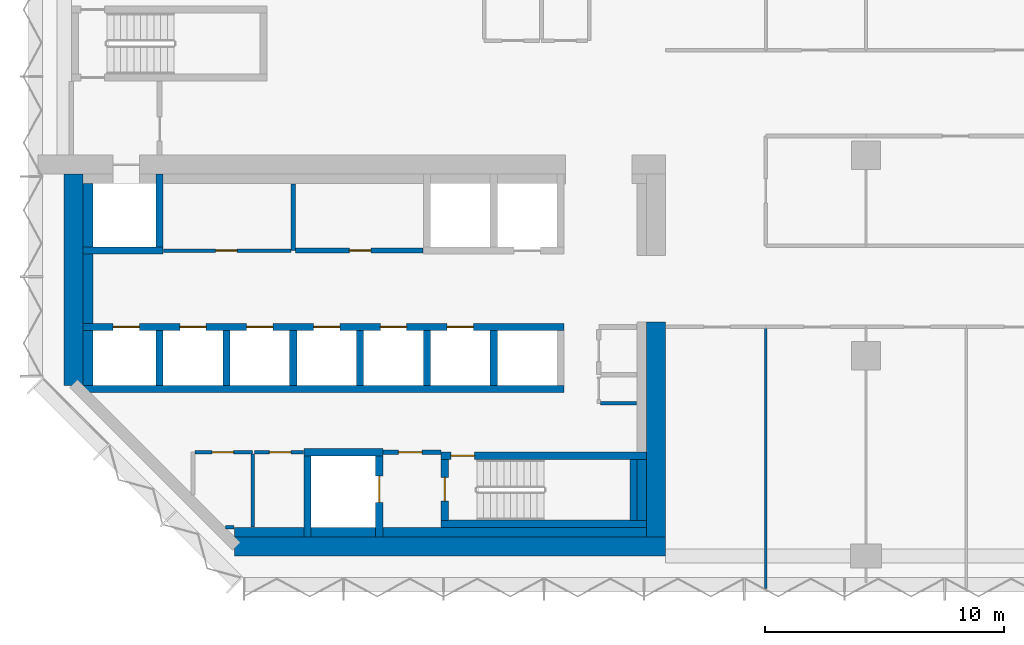
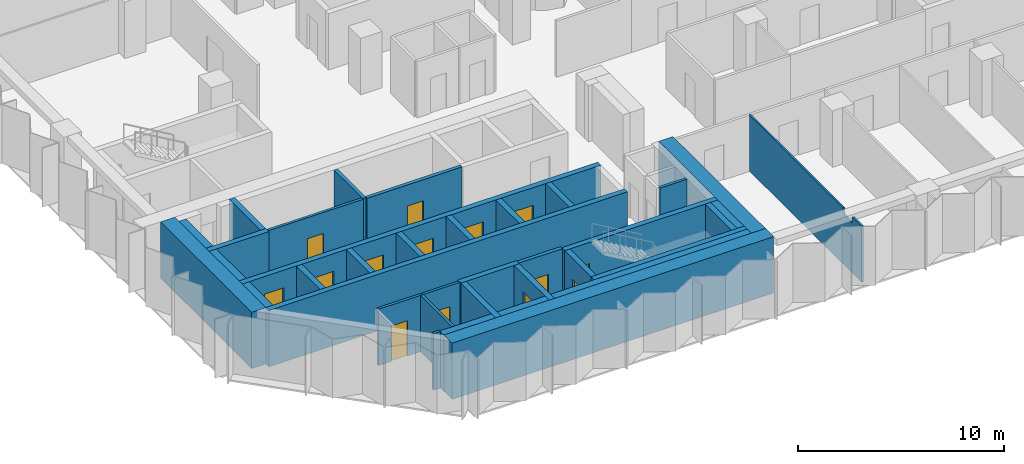
# One storey, part 7 of 13: 37 walls, 14 doors, 14 openings.
"""IFC4 building model written with IfcOpenShell, lengths in metres."""

from ifc_helpers import new_model, si_unit, direction, frame, frame_2d, origin, place, context, subcontext, project, spatial, polyline, rectangle, outline, extrude, material, layer, layer_set, type_object, element, fill, save


model = new_model("IFC4")

# Units and contexts
model_context = context("Model", 3, precision=1e-05, world=origin(), true_north=direction((0.0, 1.0)))
body_context = subcontext(model_context, "Body", "Model", "MODEL_VIEW")
ifc_project = project(units=[si_unit("LENGTHUNIT", "METRE"), si_unit("AREAUNIT", "SQUARE_METRE"), si_unit("VOLUMEUNIT", "CUBIC_METRE"), si_unit("PLANEANGLEUNIT", "RADIAN"), si_unit("MASSUNIT", "GRAM", prefix="KILO")], contexts=[model_context])

# Site, building, storey
site_placement = place(None, origin())
site = spatial("IfcSite", under=ifc_project, at=site_placement, CompositionType="ELEMENT")
building_placement = place(site_placement, origin())
building = spatial("IfcBuilding", under=site, at=building_placement, Name="Brevane Broadcast Tower", CompositionType="ELEMENT")
storey_placement = place(building_placement, frame((0.0, 0.0, 124.10009765625)))
storey = spatial("IfcBuildingStorey", under=building, at=storey_placement, Name="L30", CompositionType="ELEMENT", Elevation=124.10009765625)

# Walls
ifc_material_1 = material(Name="Concrete C32/40", Category="concrete")
ifc_layer_1 = layer(ifc_material_1, 0.39990234375)
ifc_layer_set_1 = layer_set([ifc_layer_1], Name="Core chase wall 400 mm")
wall_type_1 = type_object("IfcWallType", Name="Core chase wall 400 mm", PredefinedType="PARTITIONING", material=ifc_layer_set_1)
wall_1_placement = place(storey_placement, frame((1.0, 7.14990234375, 0.0), z_axis=(0.0, 0.0, 1.0), x_axis=(0.0, 1.0, 0.0)))
element("IfcWall", 1, at=wall_1_placement, inside=storey, type_object=wall_type_1, Name="L30 chase wall LW-2-1", PredefinedType="PARTITIONING", context=body_context, shape_type="SweptSolid", body=[
    extrude(rectangle(XDim=2.300048828125, YDim=0.39990234375, at=frame_2d((1.14990234375, 0.0))), origin(), (0.0, 0.0, 1.0), 3.349853515625),
])
wall_2_placement = place(storey_placement, frame((1.0, 9.75, 0.0), z_axis=(0.0, 0.0, 1.0), x_axis=(0.0, 1.0, 0.0)))
element("IfcWall", 2, at=wall_2_placement, inside=storey, type_object=wall_type_1, Name="L30 chase wall LW-2-2-1", PredefinedType="PARTITIONING", context=body_context, shape_type="SweptSolid", body=[
    extrude(rectangle(XDim=2.89990234375, YDim=0.39990234375, at=frame_2d((1.449951171875, 0.0))), origin(), (0.0, 0.0, 1.0), 3.349853515625),
])
wall_3_placement = place(storey_placement, frame((1.0, 12.949951171875, 0.0), z_axis=(0.0, 0.0, 1.0), x_axis=(0.0, 1.0, 0.0)))
element("IfcWall", 3, at=wall_3_placement, inside=storey, type_object=wall_type_1, Name="L30 chase wall LW-2-2-2", PredefinedType="PARTITIONING", context=body_context, shape_type="SweptSolid", body=[
    extrude(rectangle(XDim=2.650146484375, YDim=0.39990234375, at=frame_2d((1.3251953125, 0.0))), origin(), (0.0, 0.0, 1.0), 3.349853515625),
])
wall_4_placement = place(storey_placement, frame((7.136474609375, 1.0, 0.0), z_axis=(0.0, 0.0, 1.0), x_axis=(1.0, 0.0, 0.0)))
element("IfcWall", 4, at=wall_4_placement, inside=storey, type_object=wall_type_1, Name="L30 chase wall LS-1", PredefinedType="PARTITIONING", context=body_context, shape_type="SweptSolid", body=[
    extrude(rectangle(XDim=2.91357421875, YDim=0.39990234375, at=frame_2d((1.456787109375, 0.0))), origin(), (0.0, 0.0, 1.0), 3.349853515625),
])
wall_5_placement = place(storey_placement, frame((10.35009765625, 1.0, 0.0), z_axis=(0.0, 0.0, 1.0), x_axis=(1.0, 0.0, 0.0)))
element("IfcWall", 5, at=wall_5_placement, inside=storey, type_object=wall_type_1, Name="L30 chase wall LS-2-1", PredefinedType="PARTITIONING", context=body_context, shape_type="SweptSolid", body=[
    extrude(rectangle(XDim=2.699951171875, YDim=0.39990234375, at=frame_2d((1.35009765625, 0.0))), origin(), (0.0, 0.0, 1.0), 3.349853515625),
])
wall_6_placement = place(storey_placement, frame((13.35009765625, 1.0, 0.0), z_axis=(0.0, 0.0, 1.0), x_axis=(1.0, 0.0, 0.0)))
element("IfcWall", 6, at=wall_6_placement, inside=storey, type_object=wall_type_1, Name="L30 chase wall LS-2-2", PredefinedType="PARTITIONING", context=body_context, shape_type="SweptSolid", body=[
    extrude(rectangle(XDim=11.0498046875, YDim=0.39990234375, at=frame_2d((5.52490234375, 0.0))), origin(), (0.0, 0.0, 1.0), 3.349853515625),
])
wall_7_placement = place(storey_placement, frame((24.199951171875, 1.5, 0.0), z_axis=(0.0, 0.0, 1.0), x_axis=(0.0, 1.0, 0.0)))
element("IfcWall", 7, at=wall_7_placement, inside=storey, type_object=wall_type_1, Name="L30 chase wall LE1-2-1", PredefinedType="PARTITIONING", context=body_context, shape_type="SweptSolid", body=[
    extrude(rectangle(XDim=2.550048828125, YDim=0.39990234375, at=frame_2d((1.27490234375, 0.0))), origin(), (0.0, 0.0, 1.0), 3.349853515625),
])

# Wall, opening, door
ifc_material_2 = material(Name="Gypsum board on steel studs", Category="steel")
ifc_layer_2 = layer(ifc_material_2, 0.14990234375)
ifc_layer_set_2 = layer_set([ifc_layer_2], Name="Core fire partition 150 mm")
wall_type_2 = type_object("IfcWallType", Name="Core fire partition 150 mm", PredefinedType="PARTITIONING", material=ifc_layer_set_2)
wall_8_placement = place(storey_placement, frame((4.162109375, 12.800048828125, 0.0), z_axis=(0.0, 0.0, 1.0), x_axis=(1.0, 0.0, 0.0)))
wall_8 = element("IfcWall", 8, at=wall_8_placement, inside=storey, type_object=wall_type_2, Name="L30 partition wall P09", PredefinedType="PARTITIONING", context=body_context, shape_type="SweptSolid", body=[
    extrude(rectangle(XDim=5.337890625, YDim=0.14990234375, at=frame_2d((2.6689453125, 0.0))), origin(), (0.0, 0.0, 1.0), 3.349853515625),
])
opening_1_placement = place(wall_8_placement, frame((2.18798828125, 0.0, 0.0)))
opening_1 = element("IfcOpeningElement", 9, at=opening_1_placement, cuts=wall_8, Name="Opening L30-K21", PredefinedType="OPENING", context=body_context, shape_type="SweptSolid", body=[
    extrude(rectangle(XDim=0.89990234375, YDim=2.10009765625, at=frame_2d((0.449951171875, 1.050048828125))), frame((0.0, 0.0849609375, 0.0), z_axis=(0.0, -1.0, 0.0), x_axis=(1.0, 0.0, 0.0)), (0.0, 0.0, 1.0), 0.169921875),
])
ifc_material_3 = material(Name="Steel", Category="steel")
door_type_1 = type_object("IfcDoorType", Name="Service room door 900 x 2100", OperationType="SINGLE_SWING_LEFT", PredefinedType="DOOR", material=ifc_material_3)
door_1_placement = place(opening_1_placement, origin())
door_1 = element("IfcDoor", 10, at=door_1_placement, inside=storey, type_object=door_type_1, Name="Door L30-K21", OperationType="SINGLE_SWING_RIGHT", OverallHeight=2.10009765625, OverallWidth=0.89990234375, PredefinedType="DOOR", context=body_context, shape_type="SweptSolid", body=[
    extrude(rectangle(XDim=0.89990234375, YDim=2.10009765625, at=frame_2d((0.449951171875, 1.050048828125))), frame((0.0, 0.02490234375, 0.0), z_axis=(0.0, -1.0, 0.0), x_axis=(1.0, 0.0, 0.0)), (0.0, 0.0, 1.0), 0.050048828125),
])
fill(opening_1, door_1)

wall_9_placement = place(storey_placement, frame((5.47509765625, 4.35009765625, 0.0), z_axis=(0.0, 0.0, 1.0), x_axis=(1.0, 0.0, 0.0)))
wall_9 = element("IfcWall", 11, at=wall_9_placement, inside=storey, type_object=wall_type_2, Name="L30 partition wall P11", PredefinedType="PARTITIONING", context=body_context, shape_type="SweptSolid", body=[
    extrude(rectangle(XDim=2.4248046875, YDim=0.14990234375, at=frame_2d((1.21240234375, 0.0))), origin(), (0.0, 0.0, 1.0), 3.349853515625),
])
opening_2_placement = place(wall_9_placement, frame((0.72509765625, 0.0, 0.0)))
opening_2 = element("IfcOpeningElement", 12, at=opening_2_placement, cuts=wall_9, Name="Opening L30-K16", PredefinedType="OPENING", context=body_context, shape_type="SweptSolid", body=[
    extrude(rectangle(XDim=0.89990234375, YDim=2.10009765625, at=frame_2d((0.449951171875, 1.050048828125))), frame((0.0, 0.0849609375, 0.0), z_axis=(0.0, -1.0, 0.0), x_axis=(1.0, 0.0, 0.0)), (0.0, 0.0, 1.0), 0.169921875),
])
ifc_material_4 = material(Name="Timber", Category="wood")
door_type_2 = type_object("IfcDoorType", Name="Toilet door 900 x 2100", OperationType="SINGLE_SWING_LEFT", PredefinedType="DOOR", material=ifc_material_4)
door_2_placement = place(opening_2_placement, origin())
door_2 = element("IfcDoor", 13, at=door_2_placement, inside=storey, type_object=door_type_2, Name="Door L30-K16", OperationType="SINGLE_SWING_LEFT", OverallHeight=2.10009765625, OverallWidth=0.89990234375, PredefinedType="DOOR", context=body_context, shape_type="SweptSolid", body=[
    extrude(rectangle(XDim=0.89990234375, YDim=2.10009765625, at=frame_2d((0.449951171875, 1.050048828125))), frame((0.0, 0.02490234375, 0.0), z_axis=(0.0, -1.0, 0.0), x_axis=(1.0, 0.0, 0.0)), (0.0, 0.0, 1.0), 0.050048828125),
])
fill(opening_2, door_2)

# Walls
wall_10_placement = place(storey_placement, frame((7.89990234375, 4.27490234375, 0.0), z_axis=(0.0, 0.0, 1.0), x_axis=(0.0, -1.0, 0.0)))
element("IfcWall", 14, at=wall_10_placement, inside=storey, type_object=wall_type_2, Name="L30 partition wall P12", PredefinedType="PARTITIONING", context=body_context, shape_type="SweptSolid", body=[
    extrude(rectangle(XDim=3.06298828125, YDim=0.14990234375, at=frame_2d((1.531494140625, 0.0))), origin(), (0.0, 0.0, 1.0), 3.349853515625),
])
wall_11_placement = place(storey_placement, frame((7.12451171875, 1.199951171875, 0.0), z_axis=(0.0, 0.0, 1.0), x_axis=(-1.0, 0.0, 0.0)))
element("IfcWall", 15, at=wall_11_placement, inside=storey, type_object=wall_type_2, Name="L30 partition wall P13", PredefinedType="PARTITIONING", context=body_context, shape_type="SweptSolid", body=[
    extrude(rectangle(XDim=0.37109375, YDim=0.14990234375, at=frame_2d((0.185546875, 0.0))), origin(), (0.0, 0.0, 1.0), 3.349853515625),
])

# Wall, opening, door
wall_12_placement = place(storey_placement, frame((10.0380859375, 4.35009765625, 0.0), z_axis=(0.0, 0.0, 1.0), x_axis=(-1.0, 0.0, 0.0)))
wall_12 = element("IfcWall", 16, at=wall_12_placement, inside=storey, type_object=wall_type_2, Name="L30 partition wall P14", PredefinedType="PARTITIONING", context=body_context, shape_type="SweptSolid", body=[
    extrude(rectangle(XDim=2.06298828125, YDim=0.14990234375, at=frame_2d((1.031494140625, 0.0))), origin(), (0.0, 0.0, 1.0), 3.349853515625),
])
opening_3_placement = place(wall_12_placement, frame((0.5380859375, 0.0, 0.0)))
opening_3 = element("IfcOpeningElement", 17, at=opening_3_placement, cuts=wall_12, Name="Opening L30-K17", PredefinedType="OPENING", context=body_context, shape_type="SweptSolid", body=[
    extrude(rectangle(XDim=0.89990234375, YDim=2.10009765625, at=frame_2d((0.449951171875, 1.050048828125))), frame((0.0, 0.0849609375, 0.0), z_axis=(0.0, -1.0, 0.0), x_axis=(1.0, 0.0, 0.0)), (0.0, 0.0, 1.0), 0.169921875),
])
door_3_placement = place(opening_3_placement, origin())
door_3 = element("IfcDoor", 18, at=door_3_placement, inside=storey, type_object=door_type_2, Name="Door L30-K17", OperationType="SINGLE_SWING_RIGHT", OverallHeight=2.10009765625, OverallWidth=0.89990234375, PredefinedType="DOOR", context=body_context, shape_type="SweptSolid", body=[
    extrude(rectangle(XDim=0.89990234375, YDim=2.10009765625, at=frame_2d((0.449951171875, 1.050048828125))), frame((0.0, 0.02490234375, 0.0), z_axis=(0.0, -1.0, 0.0), x_axis=(1.0, 0.0, 0.0)), (0.0, 0.0, 1.0), 0.050048828125),
])
fill(opening_3, door_3)

# Wall
wall_13_placement = place(storey_placement, frame((22.47509765625, 6.39990234375, 0.0), z_axis=(0.0, 0.0, 1.0), x_axis=(1.0, 0.0, 0.0)))
element("IfcWall", 19, at=wall_13_placement, inside=storey, type_object=wall_type_2, Name="L30 partition wall P23", PredefinedType="PARTITIONING", context=body_context, shape_type="SweptSolid", body=[
    extrude(rectangle(XDim=1.512939453125, YDim=0.14990234375, at=frame_2d((0.75634765625, 0.0))), origin(), (0.0, 0.0, 1.0), 3.349853515625),
])

# Wall, opening, door
ifc_layer_3 = layer(ifc_material_2, 0.199951171875)
ifc_layer_set_3 = layer_set([ifc_layer_3], Name="Core fire partition 200 mm")
wall_type_3 = type_object("IfcWallType", Name="Core fire partition 200 mm", PredefinedType="PARTITIONING", material=ifc_layer_set_3)
wall_14_placement = place(storey_placement, frame((13.362060546875, 4.35009765625, 0.0), z_axis=(0.0, 0.0, 1.0), x_axis=(1.0, 0.0, 0.0)))
wall_14 = element("IfcWall", 20, at=wall_14_placement, inside=storey, type_object=wall_type_3, Name="L30 partition wall P03", PredefinedType="PARTITIONING", context=body_context, shape_type="SweptSolid", body=[
    extrude(rectangle(XDim=2.426025390625, YDim=0.199951171875, at=frame_2d((1.212890625, 0.0))), origin(), (0.0, 0.0, 1.0), 3.349853515625),
])
opening_4_placement = place(wall_14_placement, frame((0.637939453125, 0.0, 0.0)))
opening_4 = element("IfcOpeningElement", 21, at=opening_4_placement, cuts=wall_14, Name="Opening L30-K18", PredefinedType="OPENING", context=body_context, shape_type="SweptSolid", body=[
    extrude(rectangle(XDim=1.0, YDim=2.10009765625, at=frame_2d((0.5, 1.050048828125))), frame((0.0, 0.10986328125, 0.0), z_axis=(0.0, -1.0, 0.0), x_axis=(1.0, 0.0, 0.0)), (0.0, 0.0, 1.0), 0.219970703125),
])
door_type_3 = type_object("IfcDoorType", Name="Stair door 1000 x 2100", OperationType="SINGLE_SWING_LEFT", PredefinedType="DOOR", material=ifc_material_3)
door_4_placement = place(opening_4_placement, origin())
door_4 = element("IfcDoor", 22, at=door_4_placement, inside=storey, type_object=door_type_3, Name="Door L30-K18", OperationType="SINGLE_SWING_LEFT", OverallHeight=2.10009765625, OverallWidth=1.0, PredefinedType="DOOR", context=body_context, shape_type="SweptSolid", body=[
    extrude(rectangle(XDim=1.0, YDim=2.10009765625, at=frame_2d((0.5, 1.050048828125))), frame((0.0, 0.02490234375, 0.0), z_axis=(0.0, -1.0, 0.0), x_axis=(1.0, 0.0, 0.0)), (0.0, 0.0, 1.0), 0.050048828125),
])
fill(opening_4, door_4)

# Wall
wall_15_placement = place(storey_placement, frame((9.60009765625, 15.587890625, 0.0), z_axis=(0.0, 0.0, 1.0), x_axis=(0.0, -1.0, 0.0)))
element("IfcWall", 23, at=wall_15_placement, inside=storey, type_object=wall_type_3, Name="L30 partition wall P04", PredefinedType="PARTITIONING", context=body_context, shape_type="SweptSolid", body=[
    extrude(rectangle(XDim=2.787841796875, YDim=0.199951171875, at=frame_2d((1.39404296875, 0.0))), origin(), (0.0, 0.0, 1.0), 3.349853515625),
])

# Wall, opening, door
wall_16_placement = place(storey_placement, frame((9.699951171875, 12.800048828125, 0.0), z_axis=(0.0, 0.0, 1.0), x_axis=(1.0, 0.0, 0.0)))
wall_16 = element("IfcWall", 24, at=wall_16_placement, inside=storey, type_object=wall_type_3, Name="L30 partition wall P05", PredefinedType="PARTITIONING", context=body_context, shape_type="SweptSolid", body=[
    extrude(rectangle(XDim=5.338134765625, YDim=0.199951171875, at=frame_2d((2.6689453125, 0.0))), origin(), (0.0, 0.0, 1.0), 3.349853515625),
])
opening_5_placement = place(wall_16_placement, frame((2.25, 0.0, 0.0)))
opening_5 = element("IfcOpeningElement", 25, at=opening_5_placement, cuts=wall_16, Name="Opening L30-K22", PredefinedType="OPENING", context=body_context, shape_type="SweptSolid", body=[
    extrude(rectangle(XDim=0.89990234375, YDim=2.10009765625, at=frame_2d((0.449951171875, 1.050048828125))), frame((0.0, 0.10986328125, 0.0), z_axis=(0.0, -1.0, 0.0), x_axis=(1.0, 0.0, 0.0)), (0.0, 0.0, 1.0), 0.219970703125),
])
door_5_placement = place(opening_5_placement, origin())
door_5 = element("IfcDoor", 26, at=door_5_placement, inside=storey, type_object=door_type_1, Name="Door L30-K22", OperationType="SINGLE_SWING_LEFT", OverallHeight=2.10009765625, OverallWidth=0.89990234375, PredefinedType="DOOR", context=body_context, shape_type="SweptSolid", body=[
    extrude(rectangle(XDim=0.89990234375, YDim=2.10009765625, at=frame_2d((0.449951171875, 1.050048828125))), frame((0.0, 0.02490234375, 0.0), z_axis=(0.0, -1.0, 0.0), x_axis=(1.0, 0.0, 0.0)), (0.0, 0.0, 1.0), 0.050048828125),
])
fill(opening_5, door_5)

# Wall
ifc_material_5 = material(Name="Concrete C60/75", Category="concrete")
ifc_layer_4 = layer(ifc_material_5, 0.300048828125)
ifc_layer_set_4 = layer_set([ifc_layer_4], Name="Core wall 300 mm C60/75")
wall_type_4 = type_object("IfcWallType", Name="Core wall 300 mm C60/75", PredefinedType="SHEAR", material=ifc_layer_set_4)
wall_17_placement = place(storey_placement, frame((0.800048828125, 7.0, 0.0), z_axis=(0.0, 0.0, 1.0), x_axis=(1.0, 0.0, 0.0)))
element("IfcWall", 27, at=wall_17_placement, inside=storey, type_object=wall_type_4, Name="L30 shaft wall SH-S012-back", PredefinedType="SHEAR", context=body_context, shape_type="SweptSolid", body=[
    extrude(rectangle(XDim=20.14990234375, YDim=0.300048828125, at=frame_2d((10.074951171875, 0.0))), origin(), (0.0, 0.0, 1.0), 3.349853515625),
])

# Wall, openings, doors
wall_18_placement = place(storey_placement, frame((0.800048828125, 9.60009765625, 0.0), z_axis=(0.0, 0.0, 1.0), x_axis=(1.0, 0.0, 0.0)))
wall_18 = element("IfcWall", 28, at=wall_18_placement, inside=storey, type_object=wall_type_4, Name="L30 shaft wall SH-S012-front", PredefinedType="SHEAR", context=body_context, shape_type="SweptSolid", body=[
    extrude(rectangle(XDim=20.14990234375, YDim=0.300048828125, at=frame_2d((10.074951171875, 0.0))), origin(), (0.0, 0.0, 1.0), 3.349853515625),
])
opening_6_placement = place(wall_18_placement, frame((1.25, 0.0, 0.0)))
opening_6 = element("IfcOpeningElement", 29, at=opening_6_placement, cuts=wall_18, Name="Opening LD", PredefinedType="OPENING", context=body_context, shape_type="SweptSolid", body=[
    extrude(rectangle(XDim=1.10009765625, YDim=2.300048828125, at=frame_2d((0.550048828125, 1.14990234375))), frame((0.0, 0.159912109375, 0.0), z_axis=(0.0, -1.0, 0.0), x_axis=(1.0, 0.0, 0.0)), (0.0, 0.0, 1.0), 0.320068359375),
])
opening_7_placement = place(wall_18_placement, frame((4.050048828125, 0.0, 0.0)))
opening_7 = element("IfcOpeningElement", 30, at=opening_7_placement, cuts=wall_18, Name="Opening LD", PredefinedType="OPENING", context=body_context, shape_type="SweptSolid", body=[
    extrude(rectangle(XDim=1.10009765625, YDim=2.300048828125, at=frame_2d((0.550048828125, 1.14990234375))), frame((0.0, 0.159912109375, 0.0), z_axis=(0.0, -1.0, 0.0), x_axis=(1.0, 0.0, 0.0)), (0.0, 0.0, 1.0), 0.320068359375),
])
opening_8_placement = place(wall_18_placement, frame((6.85009765625, 0.0, 0.0)))
opening_8 = element("IfcOpeningElement", 31, at=opening_8_placement, cuts=wall_18, Name="Opening LD", PredefinedType="OPENING", context=body_context, shape_type="SweptSolid", body=[
    extrude(rectangle(XDim=1.10009765625, YDim=2.300048828125, at=frame_2d((0.550048828125, 1.14990234375))), frame((0.0, 0.159912109375, 0.0), z_axis=(0.0, -1.0, 0.0), x_axis=(1.0, 0.0, 0.0)), (0.0, 0.0, 1.0), 0.320068359375),
])
opening_9_placement = place(wall_18_placement, frame((9.64990234375, 0.0, 0.0)))
opening_9 = element("IfcOpeningElement", 32, at=opening_9_placement, cuts=wall_18, Name="Opening LD", PredefinedType="OPENING", context=body_context, shape_type="SweptSolid", body=[
    extrude(rectangle(XDim=1.10009765625, YDim=2.300048828125, at=frame_2d((0.550048828125, 1.14990234375))), frame((0.0, 0.159912109375, 0.0), z_axis=(0.0, -1.0, 0.0), x_axis=(1.0, 0.0, 0.0)), (0.0, 0.0, 1.0), 0.320068359375),
])
opening_10_placement = place(wall_18_placement, frame((12.449951171875, 0.0, 0.0)))
opening_10 = element("IfcOpeningElement", 33, at=opening_10_placement, cuts=wall_18, Name="Opening LD", PredefinedType="OPENING", context=body_context, shape_type="SweptSolid", body=[
    extrude(rectangle(XDim=1.10009765625, YDim=2.300048828125, at=frame_2d((0.550048828125, 1.14990234375))), frame((0.0, 0.159912109375, 0.0), z_axis=(0.0, -1.0, 0.0), x_axis=(1.0, 0.0, 0.0)), (0.0, 0.0, 1.0), 0.320068359375),
])
opening_11_placement = place(wall_18_placement, frame((15.25, 0.0, 0.0)))
opening_11 = element("IfcOpeningElement", 34, at=opening_11_placement, cuts=wall_18, Name="Opening LD", PredefinedType="OPENING", context=body_context, shape_type="SweptSolid", body=[
    extrude(rectangle(XDim=1.10009765625, YDim=2.300048828125, at=frame_2d((0.550048828125, 1.14990234375))), frame((0.0, 0.159912109375, 0.0), z_axis=(0.0, -1.0, 0.0), x_axis=(1.0, 0.0, 0.0)), (0.0, 0.0, 1.0), 0.320068359375),
])
ifc_material_6 = material(Name="Stainless steel", Category="steel")
door_type_4 = type_object("IfcDoorType", Name="Lift landing door", OperationType="SLIDING_TO_LEFT", PredefinedType="DOOR", material=ifc_material_6)
door_6_placement = place(opening_6_placement, origin())
door_6 = element("IfcDoor", 35, at=door_6_placement, inside=storey, type_object=door_type_4, Name="Landing door LR1 L30", OperationType="SLIDING_TO_LEFT", OverallHeight=2.300048828125, OverallWidth=1.10009765625, PredefinedType="DOOR", context=body_context, shape_type="SweptSolid", body=[
    extrude(rectangle(XDim=1.10009765625, YDim=2.300048828125, at=frame_2d((0.550048828125, 1.14990234375))), frame((0.0, 0.02490234375, 0.0), z_axis=(0.0, -1.0, 0.0), x_axis=(1.0, 0.0, 0.0)), (0.0, 0.0, 1.0), 0.050048828125),
])
fill(opening_6, door_6)
door_7_placement = place(opening_7_placement, origin())
door_7 = element("IfcDoor", 36, at=door_7_placement, inside=storey, type_object=door_type_4, Name="Landing door LR2 L30", OperationType="SLIDING_TO_LEFT", OverallHeight=2.300048828125, OverallWidth=1.10009765625, PredefinedType="DOOR", context=body_context, shape_type="SweptSolid", body=[
    extrude(rectangle(XDim=1.10009765625, YDim=2.300048828125, at=frame_2d((0.550048828125, 1.14990234375))), frame((0.0, 0.02490234375, 0.0), z_axis=(0.0, -1.0, 0.0), x_axis=(1.0, 0.0, 0.0)), (0.0, 0.0, 1.0), 0.050048828125),
])
fill(opening_7, door_7)
door_8_placement = place(opening_8_placement, origin())
door_8 = element("IfcDoor", 37, at=door_8_placement, inside=storey, type_object=door_type_4, Name="Landing door LR3 L30", OperationType="SLIDING_TO_LEFT", OverallHeight=2.300048828125, OverallWidth=1.10009765625, PredefinedType="DOOR", context=body_context, shape_type="SweptSolid", body=[
    extrude(rectangle(XDim=1.10009765625, YDim=2.300048828125, at=frame_2d((0.550048828125, 1.14990234375))), frame((0.0, 0.02490234375, 0.0), z_axis=(0.0, -1.0, 0.0), x_axis=(1.0, 0.0, 0.0)), (0.0, 0.0, 1.0), 0.050048828125),
])
fill(opening_8, door_8)
door_9_placement = place(opening_9_placement, origin())
door_9 = element("IfcDoor", 38, at=door_9_placement, inside=storey, type_object=door_type_4, Name="Landing door LR4 L30", OperationType="SLIDING_TO_LEFT", OverallHeight=2.300048828125, OverallWidth=1.10009765625, PredefinedType="DOOR", context=body_context, shape_type="SweptSolid", body=[
    extrude(rectangle(XDim=1.10009765625, YDim=2.300048828125, at=frame_2d((0.550048828125, 1.14990234375))), frame((0.0, 0.02490234375, 0.0), z_axis=(0.0, -1.0, 0.0), x_axis=(1.0, 0.0, 0.0)), (0.0, 0.0, 1.0), 0.050048828125),
])
fill(opening_9, door_9)
door_10_placement = place(opening_10_placement, origin())
door_10 = element("IfcDoor", 39, at=door_10_placement, inside=storey, type_object=door_type_4, Name="Landing door LR5 L30", OperationType="SLIDING_TO_LEFT", OverallHeight=2.300048828125, OverallWidth=1.10009765625, PredefinedType="DOOR", context=body_context, shape_type="SweptSolid", body=[
    extrude(rectangle(XDim=1.10009765625, YDim=2.300048828125, at=frame_2d((0.550048828125, 1.14990234375))), frame((0.0, 0.02490234375, 0.0), z_axis=(0.0, -1.0, 0.0), x_axis=(1.0, 0.0, 0.0)), (0.0, 0.0, 1.0), 0.050048828125),
])
fill(opening_10, door_10)
door_11_placement = place(opening_11_placement, origin())
door_11 = element("IfcDoor", 40, at=door_11_placement, inside=storey, type_object=door_type_4, Name="Landing door LR6 L30", OperationType="SLIDING_TO_LEFT", OverallHeight=2.300048828125, OverallWidth=1.10009765625, PredefinedType="DOOR", context=body_context, shape_type="SweptSolid", body=[
    extrude(rectangle(XDim=1.10009765625, YDim=2.300048828125, at=frame_2d((0.550048828125, 1.14990234375))), frame((0.0, 0.02490234375, 0.0), z_axis=(0.0, -1.0, 0.0), x_axis=(1.0, 0.0, 0.0)), (0.0, 0.0, 1.0), 0.050048828125),
])
fill(opening_11, door_11)

# Walls
for number, where, z_axis, x_axis, name in (
    (41, (4.0, 7.14990234375, 0.0), (0.0, 0.0, 1.0), (0.0, 1.0, 0.0), "L30 shaft wall SH-S-P040"),
    (42, (6.800048828125, 7.14990234375, 0.0), (0.0, 0.0, 1.0), (0.0, 1.0, 0.0), "L30 shaft wall SH-S-P068"),
    (43, (9.60009765625, 7.14990234375, 0.0), (0.0, 0.0, 1.0), (0.0, 1.0, 0.0), "L30 shaft wall SH-S-P096"),
    (44, (12.39990234375, 7.14990234375, 0.0), (0.0, 0.0, 1.0), (0.0, 1.0, 0.0), "L30 shaft wall SH-S-P124"),
    (45, (15.199951171875, 7.14990234375, 0.0), (0.0, 0.0, 1.0), (0.0, 1.0, 0.0), "L30 shaft wall SH-S-P152"),
    (46, (18.0, 7.14990234375, 0.0), (0.0, 0.0, 1.0), (0.0, 1.0, 0.0), "L30 shaft wall SH-S-P180"),
):
    element("IfcWall", number, at=place(storey_placement, frame(where, z_axis=z_axis, x_axis=x_axis)), inside=storey, type_object=wall_type_4, Name=name, PredefinedType="SHEAR", context=body_context, shape_type="SweptSolid", body=[
        extrude(rectangle(XDim=2.300048828125, YDim=0.300048828125, at=frame_2d((1.14990234375, 0.0))), origin(), (0.0, 0.0, 1.0), 3.349853515625),
    ])
wall_19_placement = place(storey_placement, frame((0.800048828125, 12.800048828125, 0.0), z_axis=(0.0, 0.0, 1.0), x_axis=(1.0, 0.0, 0.0)))
element("IfcWall", 47, at=wall_19_placement, inside=storey, type_object=wall_type_4, Name="L30 shaft wall SH-N012-front", PredefinedType="SHEAR", context=body_context, shape_type="SweptSolid", body=[
    extrude(rectangle(XDim=3.349853515625, YDim=0.300048828125, at=frame_2d((1.6748046875, 0.0))), origin(), (0.0, 0.0, 1.0), 3.349853515625),
])
wall_20_placement = place(storey_placement, frame((4.0, 12.949951171875, 0.0), z_axis=(0.0, 0.0, 1.0), x_axis=(0.0, 1.0, 0.0)))
element("IfcWall", 48, at=wall_20_placement, inside=storey, type_object=wall_type_4, Name="L30 shaft wall SH-N-P040", PredefinedType="SHEAR", context=body_context, shape_type="SweptSolid", body=[
    extrude(rectangle(XDim=3.050048828125, YDim=0.300048828125, at=frame_2d((1.52490234375, 0.0))), origin(), (0.0, 0.0, 1.0), 3.349853515625),
])
wall_21_placement = place(storey_placement, frame((10.199951171875, 0.800048828125, 0.0), z_axis=(0.0, 0.0, 1.0), x_axis=(0.0, 1.0, 0.0)))
element("IfcWall", 49, at=wall_21_placement, inside=storey, type_object=wall_type_4, Name="L30 shaft wall FF2-W", PredefinedType="SHEAR", context=body_context, shape_type="SweptSolid", body=[
    extrude(rectangle(XDim=3.39990234375, YDim=0.300048828125, at=frame_2d((1.699951171875, 0.0))), origin(), (0.0, 0.0, 1.0), 3.349853515625),
])

# Wall, opening, door
wall_22_placement = place(storey_placement, frame((13.199951171875, 0.800048828125, 0.0), z_axis=(0.0, 0.0, 1.0), x_axis=(0.0, 1.0, 0.0)))
wall_22 = element("IfcWall", 50, at=wall_22_placement, inside=storey, type_object=wall_type_4, Name="L30 shaft wall FF2-E", PredefinedType="SHEAR", context=body_context, shape_type="SweptSolid", body=[
    extrude(rectangle(XDim=3.39990234375, YDim=0.300048828125, at=frame_2d((1.699951171875, 0.0))), origin(), (0.0, 0.0, 1.0), 3.349853515625),
])
opening_12_placement = place(wall_22_placement, frame((1.449951171875, 0.0, 0.0)))
opening_12 = element("IfcOpeningElement", 51, at=opening_12_placement, cuts=wall_22, Name="Opening LD", PredefinedType="OPENING", context=body_context, shape_type="SweptSolid", body=[
    extrude(rectangle(XDim=1.10009765625, YDim=2.300048828125, at=frame_2d((0.550048828125, 1.14990234375))), frame((0.0, 0.159912109375, 0.0), z_axis=(0.0, -1.0, 0.0), x_axis=(1.0, 0.0, 0.0)), (0.0, 0.0, 1.0), 0.320068359375),
])
door_12_placement = place(opening_12_placement, origin())
door_12 = element("IfcDoor", 52, at=door_12_placement, inside=storey, type_object=door_type_4, Name="Landing door FF2 L30", OperationType="SLIDING_TO_LEFT", OverallHeight=2.300048828125, OverallWidth=1.10009765625, PredefinedType="DOOR", context=body_context, shape_type="SweptSolid", body=[
    extrude(rectangle(XDim=1.10009765625, YDim=2.300048828125, at=frame_2d((0.550048828125, 1.14990234375))), frame((0.0, 0.02490234375, 0.0), z_axis=(0.0, -1.0, 0.0), x_axis=(1.0, 0.0, 0.0)), (0.0, 0.0, 1.0), 0.050048828125),
])
fill(opening_12, door_12)

# Walls
wall_23_placement = place(storey_placement, frame((10.050048828125, 4.35009765625, 0.0), z_axis=(0.0, 0.0, 1.0), x_axis=(1.0, 0.0, 0.0)))
element("IfcWall", 53, at=wall_23_placement, inside=storey, type_object=wall_type_4, Name="L30 shaft wall FF2-N", PredefinedType="SHEAR", context=body_context, shape_type="SweptSolid", body=[
    extrude(rectangle(XDim=3.300048828125, YDim=0.300048828125, at=frame_2d((1.64990234375, 0.0))), origin(), (0.0, 0.0, 1.0), 3.349853515625),
])
wall_24_placement = place(storey_placement, frame((15.800048828125, 1.35009765625, 0.0), z_axis=(0.0, 0.0, 1.0), x_axis=(1.0, 0.0, 0.0)))
element("IfcWall", 54, at=wall_24_placement, inside=storey, type_object=wall_type_4, Name="L30 stair wall ST-2-S", PredefinedType="SHEAR", context=body_context, shape_type="SweptSolid", body=[
    extrude(rectangle(XDim=8.599853515625, YDim=0.300048828125, at=frame_2d((4.2998046875, 0.0))), origin(), (0.0, 0.0, 1.0), 3.349853515625),
])

# Wall, opening, door
wall_25_placement = place(storey_placement, frame((15.800048828125, 4.199951171875, 0.0), z_axis=(0.0, 0.0, 1.0), x_axis=(1.0, 0.0, 0.0)))
wall_25 = element("IfcWall", 55, at=wall_25_placement, inside=storey, type_object=wall_type_4, Name="L30 stair wall ST-2-N", PredefinedType="SHEAR", context=body_context, shape_type="SweptSolid", body=[
    extrude(rectangle(XDim=8.599853515625, YDim=0.300048828125, at=frame_2d((4.2998046875, 0.0))), origin(), (0.0, 0.0, 1.0), 3.349853515625),
])
opening_13_placement = place(wall_25_placement, frame((0.39990234375, 0.0, 0.0)))
opening_13 = element("IfcOpeningElement", 56, at=opening_13_placement, cuts=wall_25, Name="Opening L30-K13", PredefinedType="OPENING", context=body_context, shape_type="SweptSolid", body=[
    extrude(rectangle(XDim=1.0, YDim=2.10009765625, at=frame_2d((0.5, 1.050048828125))), frame((0.0, 0.159912109375, 0.0), z_axis=(0.0, -1.0, 0.0), x_axis=(1.0, 0.0, 0.0)), (0.0, 0.0, 1.0), 0.320068359375),
])
door_13_placement = place(opening_13_placement, origin())
door_13 = element("IfcDoor", 57, at=door_13_placement, inside=storey, type_object=door_type_3, Name="Door L30-K13", OperationType="SINGLE_SWING_RIGHT", OverallHeight=2.10009765625, OverallWidth=1.0, PredefinedType="DOOR", context=body_context, shape_type="SweptSolid", body=[
    extrude(rectangle(XDim=1.0, YDim=2.10009765625, at=frame_2d((0.5, 1.050048828125))), frame((0.0, 0.02490234375, 0.0), z_axis=(0.0, -1.0, 0.0), x_axis=(1.0, 0.0, 0.0)), (0.0, 0.0, 1.0), 0.050048828125),
])
fill(opening_13, door_13)

wall_26_placement = place(storey_placement, frame((15.949951171875, 1.5, 0.0), z_axis=(0.0, 0.0, 1.0), x_axis=(0.0, 1.0, 0.0)))
wall_26 = element("IfcWall", 58, at=wall_26_placement, inside=storey, type_object=wall_type_4, Name="L30 stair wall ST-2-W", PredefinedType="SHEAR", context=body_context, shape_type="SweptSolid", body=[
    extrude(rectangle(XDim=2.550048828125, YDim=0.300048828125, at=frame_2d((1.27490234375, 0.0))), origin(), (0.0, 0.0, 1.0), 3.349853515625),
])
opening_14_placement = place(wall_26_placement, frame((0.800048828125, 0.0, 0.0)))
opening_14 = element("IfcOpeningElement", 59, at=opening_14_placement, cuts=wall_26, Name="Opening L30-K12", PredefinedType="OPENING", context=body_context, shape_type="SweptSolid", body=[
    extrude(rectangle(XDim=1.0, YDim=2.10009765625, at=frame_2d((0.5, 1.050048828125))), frame((0.0, 0.159912109375, 0.0), z_axis=(0.0, -1.0, 0.0), x_axis=(1.0, 0.0, 0.0)), (0.0, 0.0, 1.0), 0.320068359375),
])
door_14_placement = place(opening_14_placement, origin())
door_14 = element("IfcDoor", 60, at=door_14_placement, inside=storey, type_object=door_type_3, Name="Door L30-K12", OperationType="SINGLE_SWING_LEFT", OverallHeight=2.10009765625, OverallWidth=1.0, PredefinedType="DOOR", context=body_context, shape_type="SweptSolid", body=[
    extrude(rectangle(XDim=1.0, YDim=2.10009765625, at=frame_2d((0.5, 1.050048828125))), frame((0.0, 0.02490234375, 0.0), z_axis=(0.0, -1.0, 0.0), x_axis=(1.0, 0.0, 0.0)), (0.0, 0.0, 1.0), 0.050048828125),
])
fill(opening_14, door_14)

# Walls
wall_27_placement = place(storey_placement, frame((23.85009765625, 1.5, 0.0), z_axis=(0.0, 0.0, 1.0), x_axis=(0.0, 1.0, 0.0)))
element("IfcWall", 61, at=wall_27_placement, inside=storey, type_object=wall_type_4, Name="L30 stair wall ST-2-E", PredefinedType="SHEAR", context=body_context, shape_type="SweptSolid", body=[
    extrude(rectangle(XDim=2.550048828125, YDim=0.300048828125, at=frame_2d((1.27490234375, 0.0))), origin(), (0.0, 0.0, 1.0), 3.349853515625),
])
ifc_layer_5 = layer(ifc_material_5, 0.800048828125)
ifc_layer_set_5 = layer_set([ifc_layer_5], Name="Core wall 800 mm C60/75")
wall_type_5 = type_object("IfcWallType", Name="Core wall 800 mm C60/75", PredefinedType="SHEAR", material=ifc_layer_set_5)
wall_28_placement = place(storey_placement, frame((7.136474609375, 0.39990234375, 0.0), z_axis=(0.0, 0.0, 1.0), x_axis=(1.0, 0.0, 0.0)))
element("IfcWall", 62, at=wall_28_placement, inside=storey, type_object=wall_type_5, Name="L30 outer wall WS", PredefinedType="SHEAR", context=body_context, shape_type="SweptSolid", body=[
    extrude(rectangle(XDim=18.0634765625, YDim=0.800048828125, at=frame_2d((9.03173828125, 0.0))), origin(), (0.0, 0.0, 1.0), 3.349853515625),
])
wall_29_placement = place(storey_placement, frame((0.39990234375, 7.136474609375, 0.0), z_axis=(0.0, 0.0, 1.0), x_axis=(0.0, 1.0, 0.0)))
element("IfcWall", 63, at=wall_29_placement, inside=storey, type_object=wall_type_5, Name="L30 outer wall WW", PredefinedType="SHEAR", context=body_context, shape_type="SweptSolid", body=[
    extrude(rectangle(XDim=8.863525390625, YDim=0.800048828125, at=frame_2d((4.431640625, 0.0))), origin(), (0.0, 0.0, 1.0), 3.349853515625),
])
wall_30_placement = place(storey_placement, frame((24.800048828125, 0.800048828125, 0.0), z_axis=(0.0, 0.0, 1.0), x_axis=(0.0, 1.0, 0.0)))
element("IfcWall", 64, at=wall_30_placement, inside=storey, type_object=wall_type_5, Name="L30 outer wall WE1", PredefinedType="SHEAR", context=body_context, shape_type="SweptSolid", body=[
    extrude(rectangle(XDim=9.0, YDim=0.800048828125, at=frame_2d((4.5, 0.0))), origin(), (0.0, 0.0, 1.0), 3.349853515625),
])
ifc_material_7 = material(Name="Gypsum board partition")
ifc_layer_6 = layer(ifc_material_7, 0.10009765625)
ifc_layer_set_6 = layer_set([ifc_layer_6], Name="PARTITION 100 STUD")
wall_type_6 = type_object("IfcWallType", Name="PARTITION 100 STUD", PredefinedType="PARTITIONING", material=ifc_layer_set_6)
wall_31_placement = place(storey_placement, frame((29.39990234375, 9.60009765625, 0.0), z_axis=(0.0, 0.0, 1.0), x_axis=(0.0, -1.0, 0.0)))
element("IfcWall", 65, at=wall_31_placement, inside=storey, type_object=wall_type_6, Name="Partition G09-031", PredefinedType="PARTITIONING", context=body_context, shape_type="SweptSolid", body=[
    extrude(outline(polyline([(0.0, 0.0), (10.965087890625, 0.0), (10.965087890625, 3.329833984375), (10.699951171875, 3.329833984375), (10.050048828125, 3.329833984375), (10.048095703125, 2.97998046875), (9.152099609375, 2.97998046875), (9.14990234375, 3.329833984375), (0.0, 3.329833984375), (0.0, 0.0)])), frame((0.0, 0.050048828125, 0.0), z_axis=(0.0, -1.0, 0.0), x_axis=(1.0, 0.0, 0.0)), (0.0, 0.0, 1.0), 0.10009765625),
])

save(model, "model.ifc")
